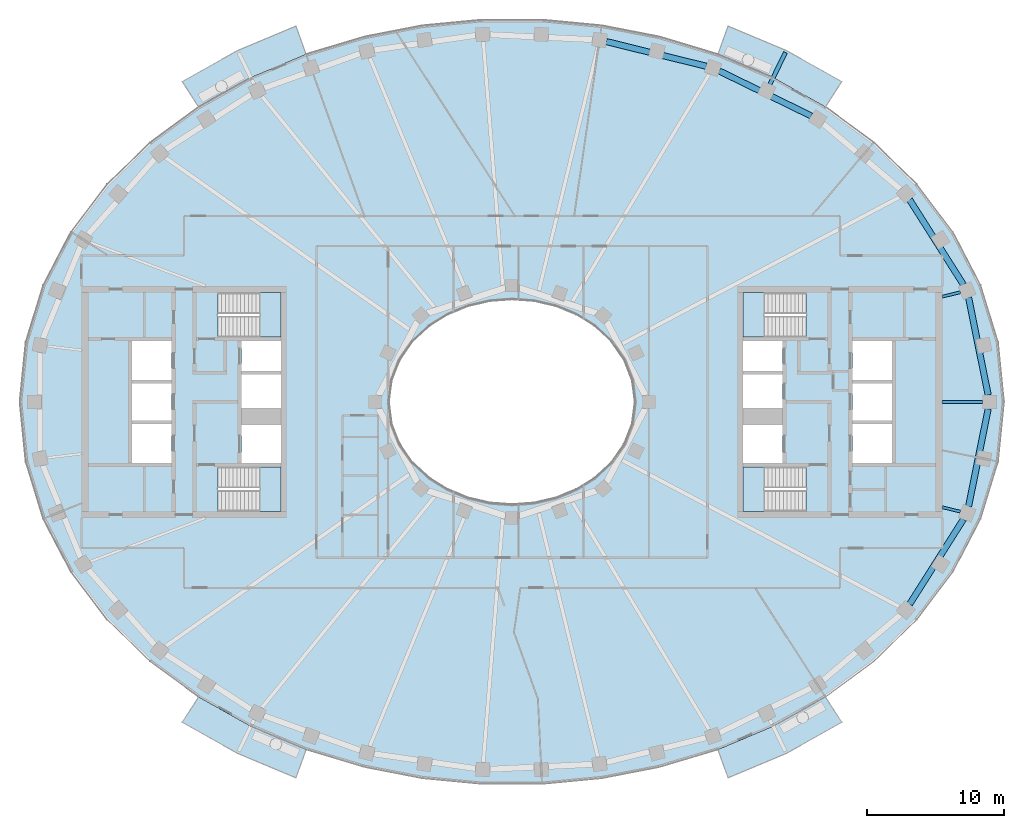
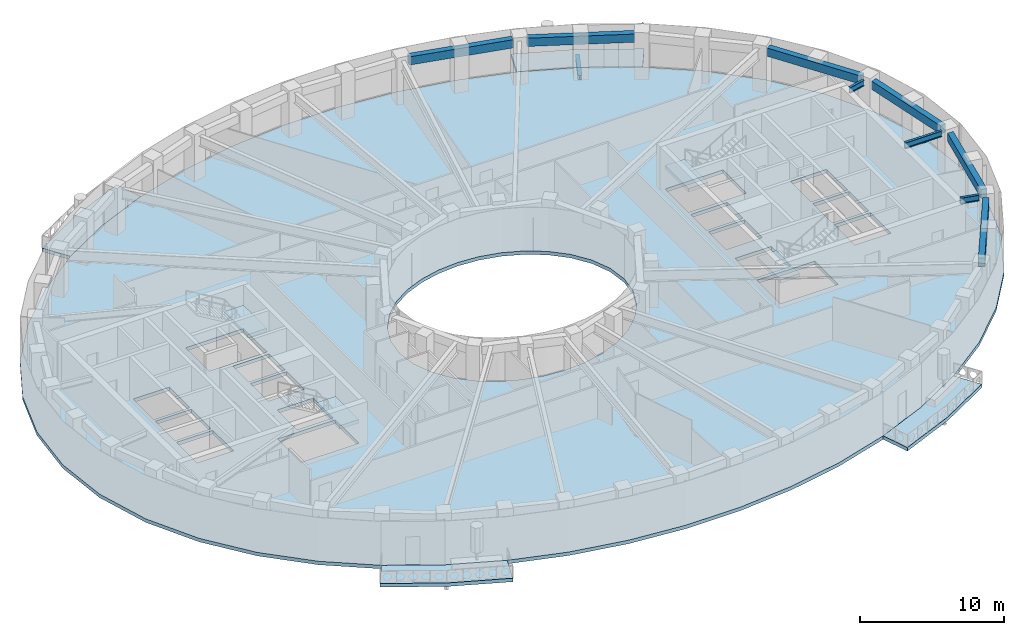
# One storey, part 2 of 15: 10 beams, 9 slabs, 4 elements without a shape of their own.
"""IFC4 building model written with IfcOpenShell, lengths in metres."""

from ifc_helpers import new_model, si_unit, direction, frame, origin, origin_2d, place, context, subcontext, project, spatial, polyline, rectangle, i_section, outline, extrude, material, layer, layer_set, material_profile, profile_set, type_object, element, aggregate, save


model = new_model("IFC4")

# Units and contexts
model_context = context("Model", 3, precision=1e-05, world=origin(), true_north=direction((0.0, 1.0)))
body_context = subcontext(model_context, "Body", "Model", "MODEL_VIEW")
ifc_project = project(units=[si_unit("LENGTHUNIT", "METRE"), si_unit("AREAUNIT", "SQUARE_METRE"), si_unit("VOLUMEUNIT", "CUBIC_METRE"), si_unit("PLANEANGLEUNIT", "RADIAN"), si_unit("MASSUNIT", "GRAM", prefix="KILO")], contexts=[model_context])

# Site, building, storey
site_placement = place(None, origin())
site = spatial("IfcSite", under=ifc_project, at=site_placement, CompositionType="ELEMENT")
building_placement = place(site_placement, origin())
building = spatial("IfcBuilding", under=site, at=building_placement, Name="Noorbagh Ring Tower", CompositionType="ELEMENT")
storey_placement = place(building_placement, frame((0.0, 0.0, 277.5)))
storey = spatial("IfcBuildingStorey", under=building, at=storey_placement, Name="L59", CompositionType="ELEMENT", Elevation=277.5)

# Beams
ifc_material_1 = material(Name="Steel S355", Category="steel")
ifc_material_profile_1 = material_profile(ifc_material_1, i_section(OverallWidth=0.300048828125, OverallDepth=0.39990234375, WebThickness=0.013427734375, FlangeThickness=0.02392578125, FilletRadius=0.027099609375, at=origin_2d()), Name="HEB400")
ifc_profile_set_1 = profile_set([ifc_material_profile_1], Name="Steel S355")
beam_type_1 = type_object("IfcBeamType", Name="STR-BALCONY-BRACKET-HEB400", PredefinedType="BEAM", material=ifc_profile_set_1)
beam_1_placement = place(storey_placement, frame((18.8681640625, 23.239013671875, -0.5), z_axis=(0.439233708137, 0.898372834427, 0.0), x_axis=(-0.898372834427, 0.439233708137, 0.0)))
element("IfcBeam", 1, at=beam_1_placement, inside=storey, type_object=beam_type_1, Name="Balcony bracket beam BN02", PredefinedType="BEAM", context=body_context, shape_type="SweptSolid", body=[
    extrude(i_section(OverallWidth=0.300048828125, OverallDepth=0.39990234375, WebThickness=0.013427734375, FlangeThickness=0.02392578125, FilletRadius=0.027099609375, at=origin_2d()), origin(), (0.0, 0.0, 1.0), 2.60009765625),
])
ifc_material_2 = material(Name="Steel S355", Category="steel")
ifc_material_profile_2 = material_profile(ifc_material_2, i_section(OverallWidth=0.199951171875, OverallDepth=0.5, WebThickness=0.01025390625, FlangeThickness=0.01611328125, FilletRadius=0.02099609375, at=origin_2d()), Name="IPE500")
ifc_profile_set_2 = profile_set([ifc_material_profile_2], Name="Steel S355")
beam_type_2 = type_object("IfcBeamType", Name="STR-RAD-IPE500", PredefinedType="BEAM", material=ifc_profile_set_2)
beam_2_placement = place(storey_placement, frame((34.439697265625, 0.0, 3.449951171875), z_axis=(-1.0, 0.0, 0.0), x_axis=(0.0, -1.0, 0.0)))
element("IfcBeam", 2, at=beam_2_placement, inside=storey, type_object=beam_type_2, Name="L59/bm/RD01", PredefinedType="BEAM", context=body_context, shape_type="SweptSolid", body=[
    extrude(i_section(OverallWidth=0.199951171875, OverallDepth=0.5, WebThickness=0.01025390625, FlangeThickness=0.01611328125, FilletRadius=0.02099609375, at=origin_2d()), origin(), (0.0, 0.0, 1.0), 2.959716796875),
])
for number, where, z_axis, x_axis, name in (
    (3, (32.80908203125, 8.02783203125, 3.449951171875), (-0.971368805904, -0.237576604311, 0.0), (0.237576604311, -0.971368805904, 0.0), "L59/bm/RD03"),
    (4, (32.80908203125, -8.02783203125, 3.449951171875), (-0.971368805904, 0.237576604311, 0.0), (-0.237576604311, -0.971368805904, 0.0), "L59/bm/RD45"),
):
    element("IfcBeam", number, at=place(storey_placement, frame(where, z_axis=z_axis, x_axis=x_axis)), inside=storey, type_object=beam_type_2, Name=name, PredefinedType="BEAM", context=body_context, shape_type="SweptSolid", body=[
        extrude(i_section(OverallWidth=0.199951171875, OverallDepth=0.5, WebThickness=0.01025390625, FlangeThickness=0.01611328125, FilletRadius=0.02099609375, at=origin_2d()), origin(), (0.0, 0.0, 1.0), 1.36767578125),
    ])
ifc_material_3 = material(Name="Concrete C40/50", Category="concrete")
ifc_material_profile_3 = material_profile(ifc_material_3, rectangle(XDim=0.449951171875, YDim=0.699951171875, at=origin_2d()), Name="RC450x700")
ifc_profile_set_3 = profile_set([ifc_material_profile_3], Name="Concrete C40/50")
beam_type_3 = type_object("IfcBeamType", Name="STR-SB-RC450x700-C40-50", PredefinedType="BEAM", material=ifc_profile_set_3)
beam_3_placement = place(storey_placement, frame((34.843017578125, 0.50537109375, 3.35009765625), z_axis=(-0.197224898537, 0.980358270938, 0.0), x_axis=(-0.980358270938, -0.197224898537, 0.0)))
element("IfcBeam", 5, at=beam_3_placement, inside=storey, type_object=beam_type_3, Name="L59/bm/SP01", PredefinedType="BEAM", context=body_context, shape_type="SweptSolid", body=[
    extrude(rectangle(XDim=0.449951171875, YDim=0.699951171875, at=origin_2d()), origin(), (0.0, 0.0, 1.0), 7.282470703125),
])
beam_4_placement = place(storey_placement, frame((33.030517578125, 8.5830078125, 3.35009765625), z_axis=(-0.535199696751, 0.844725567624, 0.0), x_axis=(-0.844725567624, -0.535199696751, 0.0)))
element("IfcBeam", 6, at=beam_4_placement, inside=storey, type_object=beam_type_3, Name="L59/bm/SP03", PredefinedType="BEAM", context=body_context, shape_type="SweptSolid", body=[
    extrude(rectangle(XDim=0.449951171875, YDim=0.699951171875, at=origin_2d()), origin(), (0.0, 0.0, 1.0), 7.357421875),
])
beam_5_placement = place(storey_placement, frame((21.905029296875, 20.92333984375, 3.35009765625), z_axis=(-0.898394634575, 0.439189117087, 0.0), x_axis=(-0.439189117087, -0.898394634575, 0.0)))
element("IfcBeam", 7, at=beam_5_placement, inside=storey, type_object=beam_type_3, Name="L59/bm/SP07", PredefinedType="BEAM", context=body_context, shape_type="SweptSolid", body=[
    extrude(rectangle(XDim=0.449951171875, YDim=0.699951171875, at=origin_2d()), origin(), (0.0, 0.0, 1.0), 7.501220703125),
])
beam_6_placement = place(storey_placement, frame((14.216552734375, 24.562744140625, 3.35009765625), z_axis=(-0.970832363292, 0.239759300935, 0.0), x_axis=(-0.239759300935, -0.970832363292, 0.0)))
element("IfcBeam", 8, at=beam_6_placement, inside=storey, type_object=beam_type_3, Name="L59/bm/SP09", PredefinedType="BEAM", context=body_context, shape_type="SweptSolid", body=[
    extrude(rectangle(XDim=0.449951171875, YDim=0.699951171875, at=origin_2d()), origin(), (0.0, 0.0, 1.0), 7.5341796875),
])
beam_7_placement = place(storey_placement, frame((29.0927734375, -14.798095703125, 3.35009765625), z_axis=(0.535199696751, 0.844725567624, 0.0), x_axis=(-0.844725567624, 0.535199696751, 0.0)))
element("IfcBeam", 9, at=beam_7_placement, inside=storey, type_object=beam_type_3, Name="L59/bm/SP43", PredefinedType="BEAM", context=body_context, shape_type="SweptSolid", body=[
    extrude(rectangle(XDim=0.449951171875, YDim=0.699951171875, at=origin_2d()), origin(), (0.0, 0.0, 1.0), 7.357421875),
])
beam_8_placement = place(storey_placement, frame((33.40673828125, -7.644775390625, 3.35009765625), z_axis=(0.197224898537, 0.980358270938, 0.0), x_axis=(-0.980358270938, 0.197224898537, 0.0)))
element("IfcBeam", 10, at=beam_8_placement, inside=storey, type_object=beam_type_3, Name="L59/bm/SP45", PredefinedType="BEAM", context=body_context, shape_type="SweptSolid", body=[
    extrude(rectangle(XDim=0.449951171875, YDim=0.699951171875, at=origin_2d()), origin(), (0.0, 0.0, 1.0), 7.282470703125),
])

# Stair, slab
ifc_material_4 = material(Name="Concrete C40/50", Category="concrete")
stair_type = type_object("IfcStairType", Name="CORE-STAIR", PredefinedType="HALF_TURN_STAIR", material=ifc_material_4)
stair_1_placement = place(storey_placement, origin())
stair_1 = element("IfcStair", 11, at=stair_1_placement, inside=storey, type_object=stair_type, Name="L59 Exit stair ST1", PredefinedType="HALF_TURN_STAIR")
ifc_material_5 = material(Name="Concrete C40/50", Category="concrete")
ifc_layer_1 = layer(ifc_material_5, 0.300048828125)
ifc_layer_set_1 = layer_set([ifc_layer_1], Name="Concrete C40/50")
slab_type_1 = type_object("IfcSlabType", Name="CORE-STAIR-LANDING", PredefinedType="LANDING", material=ifc_layer_set_1)
slab_1_placement = place(storey_placement, frame((0.0, 0.0, 1.699951171875)))
slab_1 = element("IfcSlab", 12, at=slab_1_placement, type_object=slab_type_1, Name="ST1 landing 1", PredefinedType="LANDING", context=body_context, shape_type="SweptSolid", body=[
    extrude(outline(polyline([(-18.449951171875, 4.75), (-16.89990234375, 4.75), (-16.89990234375, 8.0), (-18.449951171875, 8.0), (-18.449951171875, 4.75)])), origin(), (0.0, 0.0, 1.0), 0.300048828125),
])
aggregate(stair_1, [slab_1])

stair_2_placement = place(storey_placement, origin())
stair_2 = element("IfcStair", 13, at=stair_2_placement, inside=storey, type_object=stair_type, Name="L59 Exit stair ST2", PredefinedType="HALF_TURN_STAIR")
slab_2_placement = place(storey_placement, frame((0.0, 0.0, 1.699951171875)))
slab_2 = element("IfcSlab", 14, at=slab_2_placement, type_object=slab_type_1, Name="ST2 landing 1", PredefinedType="LANDING", context=body_context, shape_type="SweptSolid", body=[
    extrude(outline(polyline([(-18.449951171875, -8.0), (-16.89990234375, -8.0), (-16.89990234375, -4.75), (-18.449951171875, -4.75), (-18.449951171875, -8.0)])), origin(), (0.0, 0.0, 1.0), 0.300048828125),
])
aggregate(stair_2, [slab_2])

stair_3_placement = place(storey_placement, origin())
stair_3 = element("IfcStair", 15, at=stair_3_placement, inside=storey, type_object=stair_type, Name="L59 Exit stair ST3", PredefinedType="HALF_TURN_STAIR")
slab_3_placement = place(storey_placement, frame((0.0, 0.0, 1.699951171875)))
slab_3 = element("IfcSlab", 16, at=slab_3_placement, type_object=slab_type_1, Name="ST3 landing 1", PredefinedType="LANDING", context=body_context, shape_type="SweptSolid", body=[
    extrude(outline(polyline([(18.449951171875, 8.0), (16.89990234375, 8.0), (16.89990234375, 4.75), (18.449951171875, 4.75), (18.449951171875, 8.0)])), origin(), (0.0, 0.0, 1.0), 0.300048828125),
])
aggregate(stair_3, [slab_3])

stair_4_placement = place(storey_placement, origin())
stair_4 = element("IfcStair", 17, at=stair_4_placement, inside=storey, type_object=stair_type, Name="L59 Exit stair ST4", PredefinedType="HALF_TURN_STAIR")
slab_4_placement = place(storey_placement, frame((0.0, 0.0, 1.699951171875)))
slab_4 = element("IfcSlab", 18, at=slab_4_placement, type_object=slab_type_1, Name="ST4 landing 1", PredefinedType="LANDING", context=body_context, shape_type="SweptSolid", body=[
    extrude(outline(polyline([(18.449951171875, -4.75), (16.89990234375, -4.75), (16.89990234375, -8.0), (18.449951171875, -8.0), (18.449951171875, -4.75)])), origin(), (0.0, 0.0, 1.0), 0.300048828125),
])
aggregate(stair_4, [slab_4])

# Slabs
ifc_material_6 = material(Name="Concrete C40/50", Category="concrete")
ifc_layer_2 = layer(ifc_material_6, 0.300048828125)
ifc_layer_set_2 = layer_set([ifc_layer_2], Name="Concrete C40/50")
slab_type_2 = type_object("IfcSlabType", Name="ENV-BALCONY DECK 300", PredefinedType="FLOOR", material=ifc_layer_set_2)
slab_5_placement = place(storey_placement, frame((0.0, 0.0, -0.300048828125)))
element("IfcSlab", 19, at=slab_5_placement, inside=storey, type_object=slab_type_2, Name="Tree balcony deck BN02", PredefinedType="FLOOR", context=body_context, shape_type="SweptSolid", body=[
    extrude(outline(polyline([(24.1279296875, 23.435791015625), (20.076171875, 25.709716796875), (15.810791015625, 27.50341796875), (15.0654296875, 25.430419921875), (19.108154296875, 23.730224609375), (22.9326171875, 21.583740234375), (24.1279296875, 23.435791015625)])), origin(), (0.0, 0.0, 1.0), 0.300048828125),
])
slab_6_placement = place(storey_placement, frame((0.0, 0.0, -0.300048828125)))
element("IfcSlab", 20, at=slab_6_placement, inside=storey, type_object=slab_type_2, Name="Tree balcony deck BN05", PredefinedType="FLOOR", context=body_context, shape_type="SweptSolid", body=[
    extrude(outline(polyline([(-15.810791015625, 27.50341796875), (-20.076171875, 25.709716796875), (-24.1279296875, 23.435791015625), (-22.9326171875, 21.583740234375), (-19.108154296875, 23.730224609375), (-15.0654296875, 25.430419921875), (-15.810791015625, 27.50341796875)])), origin(), (0.0, 0.0, 1.0), 0.300048828125),
])
slab_7_placement = place(storey_placement, frame((0.0, 0.0, -0.300048828125)))
element("IfcSlab", 21, at=slab_7_placement, inside=storey, type_object=slab_type_2, Name="Tree balcony deck BS02", PredefinedType="FLOOR", context=body_context, shape_type="SweptSolid", body=[
    extrude(outline(polyline([(-24.1279296875, -23.435791015625), (-20.076171875, -25.709716796875), (-15.810791015625, -27.50341796875), (-15.0654296875, -25.430419921875), (-19.108154296875, -23.730224609375), (-22.9326171875, -21.583740234375), (-24.1279296875, -23.435791015625)])), origin(), (0.0, 0.0, 1.0), 0.300048828125),
])
slab_8_placement = place(storey_placement, frame((0.0, 0.0, -0.300048828125)))
element("IfcSlab", 22, at=slab_8_placement, inside=storey, type_object=slab_type_2, Name="Tree balcony deck BS05", PredefinedType="FLOOR", context=body_context, shape_type="SweptSolid", body=[
    extrude(outline(polyline([(15.810791015625, -27.50341796875), (20.076171875, -25.709716796875), (24.1279296875, -23.435791015625), (22.9326171875, -21.583740234375), (19.108154296875, -23.730224609375), (15.0654296875, -25.430419921875), (15.810791015625, -27.50341796875)])), origin(), (0.0, 0.0, 1.0), 0.300048828125),
])
ifc_material_7 = material(Name="Concrete C40/50", Category="concrete")
ifc_layer_3 = layer(ifc_material_7, 0.300048828125)
ifc_layer_set_3 = layer_set([ifc_layer_3], Name="Concrete C40/50")
slab_type_3 = type_object("IfcSlabType", Name="STR-FLOOR-DECK-300", PredefinedType="FLOOR", material=ifc_layer_set_3)
slab_9_placement = place(storey_placement, frame((0.0, 0.0, -0.300048828125)))
element("IfcSlab", 23, at=slab_9_placement, inside=storey, type_object=slab_type_3, Name="L59/slab/1", PredefinedType="FLOOR", context=body_context, shape_type="SweptSolid", body=[
    extrude(outline(polyline([(36.0, 0.0), (35.56103515625, 4.358642578125), (34.281005859375, 8.548828125), (32.255126953125, 12.434814453125), (29.607666015625, 15.92822265625), (26.463134765625, 18.983154296875), (22.9326171875, 21.583740234375), (19.108154296875, 23.730224609375), (15.0654296875, 25.430419921875), (10.865234375, 26.6943359375), (6.5595703125, 27.53125), (2.193115234375, 27.947998046875), (-2.193115234375, 27.947998046875), (-6.5595703125, 27.53125), (-10.865234375, 26.6943359375), (-15.0654296875, 25.430419921875), (-19.108154296875, 23.730224609375), (-22.9326171875, 21.583740234375), (-26.463134765625, 18.983154296875), (-29.607666015625, 15.92822265625), (-32.255126953125, 12.434814453125), (-34.281005859375, 8.548828125), (-35.56103515625, 4.358642578125), (-36.0, 0.0), (-35.56103515625, -4.358642578125), (-34.281005859375, -8.548828125), (-32.255126953125, -12.434814453125), (-29.607666015625, -15.92822265625), (-26.463134765625, -18.983154296875), (-22.9326171875, -21.583740234375), (-19.108154296875, -23.730224609375), (-15.0654296875, -25.430419921875), (-10.865234375, -26.6943359375), (-6.5595703125, -27.53125), (-2.193115234375, -27.947998046875), (2.193115234375, -27.947998046875), (6.5595703125, -27.53125), (10.865234375, -26.6943359375), (15.0654296875, -25.430419921875), (19.108154296875, -23.730224609375), (22.9326171875, -21.583740234375), (26.463134765625, -18.983154296875), (29.607666015625, -15.92822265625), (32.255126953125, -12.434814453125), (34.281005859375, -8.548828125), (35.56103515625, -4.358642578125), (36.0, 0.0)]), holes=[polyline([(24.89990234375, 4.449951171875), (27.800048828125, 4.449951171875), (27.800048828125, 1.60009765625), (24.89990234375, 1.60009765625), (24.89990234375, 4.449951171875)]), polyline([(24.89990234375, 1.35009765625), (27.800048828125, 1.35009765625), (27.800048828125, -1.35009765625), (24.89990234375, -1.35009765625), (24.89990234375, 1.35009765625)]), polyline([(24.89990234375, -1.60009765625), (27.800048828125, -1.60009765625), (27.800048828125, -4.449951171875), (24.89990234375, -4.449951171875), (24.89990234375, -1.60009765625)]), polyline([(21.529541015625, -8.0), (16.89990234375, -8.0), (16.89990234375, -4.75), (21.529541015625, -4.75), (21.529541015625, -8.0)]), polyline([(16.89990234375, 4.75), (16.89990234375, 8.0), (21.529541015625, 8.0), (21.529541015625, 4.75), (16.89990234375, 4.75)]), polyline([(19.800048828125, 4.449951171875), (19.800048828125, 2.25), (16.89990234375, 2.25), (16.89990234375, 4.449951171875), (19.800048828125, 4.449951171875)]), polyline([(16.89990234375, 2.0), (19.800048828125, 2.0), (19.800048828125, -0.449951171875), (16.89990234375, -0.449951171875), (16.89990234375, 2.0)]), polyline([(16.89990234375, -1.699951171875), (19.800048828125, -1.699951171875), (19.800048828125, -4.449951171875), (16.89990234375, -4.449951171875), (16.89990234375, -1.699951171875)]), polyline([(4.697509765625, -6.3974609375), (3.196533203125, -7.010986328125), (1.6171875, -7.3779296875), (0.0, -7.5), (-1.6171875, -7.3779296875), (-3.196533203125, -7.010986328125), (-4.697509765625, -6.3974609375), (-6.071044921875, -5.53662109375), (-7.2587890625, -4.43408203125), (-8.1904296875, -3.10888671875), (-8.79150390625, -1.605224609375), (-9.0, 0.0), (-8.79150390625, 1.605224609375), (-8.1904296875, 3.10888671875), (-7.2587890625, 4.43408203125), (-6.071044921875, 5.53662109375), (-4.697509765625, 6.3974609375), (-3.196533203125, 7.010986328125), (-1.6171875, 7.3779296875), (0.0, 7.5), (1.6171875, 7.3779296875), (3.196533203125, 7.010986328125), (4.697509765625, 6.3974609375), (6.071044921875, 5.53662109375), (7.2587890625, 4.43408203125), (8.1904296875, 3.10888671875), (8.79150390625, 1.605224609375), (9.0, 0.0), (8.79150390625, -1.605224609375), (8.1904296875, -3.10888671875), (7.2587890625, -4.43408203125), (6.071044921875, -5.53662109375), (4.697509765625, -6.3974609375)]), polyline([(-16.89990234375, 2.25), (-19.800048828125, 2.25), (-19.800048828125, 4.449951171875), (-16.89990234375, 4.449951171875), (-16.89990234375, 2.25)]), polyline([(-16.89990234375, -0.449951171875), (-19.800048828125, -0.449951171875), (-19.800048828125, 2.0), (-16.89990234375, 2.0), (-16.89990234375, -0.449951171875)]), polyline([(-16.89990234375, -4.449951171875), (-19.800048828125, -4.449951171875), (-19.800048828125, -1.699951171875), (-16.89990234375, -1.699951171875), (-16.89990234375, -4.449951171875)]), polyline([(-21.529541015625, 8.0), (-16.89990234375, 8.0), (-16.89990234375, 4.75), (-21.529541015625, 4.75), (-21.529541015625, 8.0)]), polyline([(-21.529541015625, -4.75), (-16.89990234375, -4.75), (-16.89990234375, -8.0), (-21.529541015625, -8.0), (-21.529541015625, -4.75)]), polyline([(-24.89990234375, -4.449951171875), (-27.800048828125, -4.449951171875), (-27.800048828125, -1.60009765625), (-24.89990234375, -1.60009765625), (-24.89990234375, -4.449951171875)]), polyline([(-24.89990234375, 1.60009765625), (-27.800048828125, 1.60009765625), (-27.800048828125, 4.449951171875), (-24.89990234375, 4.449951171875), (-24.89990234375, 1.60009765625)]), polyline([(-24.89990234375, -1.35009765625), (-27.800048828125, -1.35009765625), (-27.800048828125, 1.35009765625), (-24.89990234375, 1.35009765625), (-24.89990234375, -1.35009765625)])]), origin(), (0.0, 0.0, 1.0), 0.300048828125),
])

save(model, "model.ifc")
